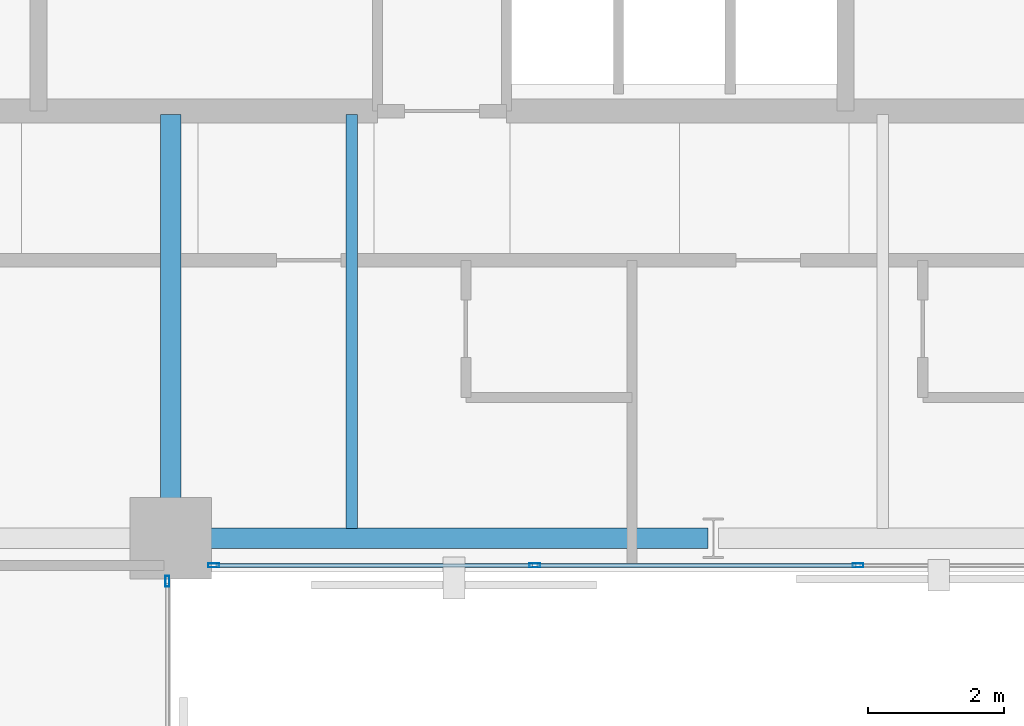
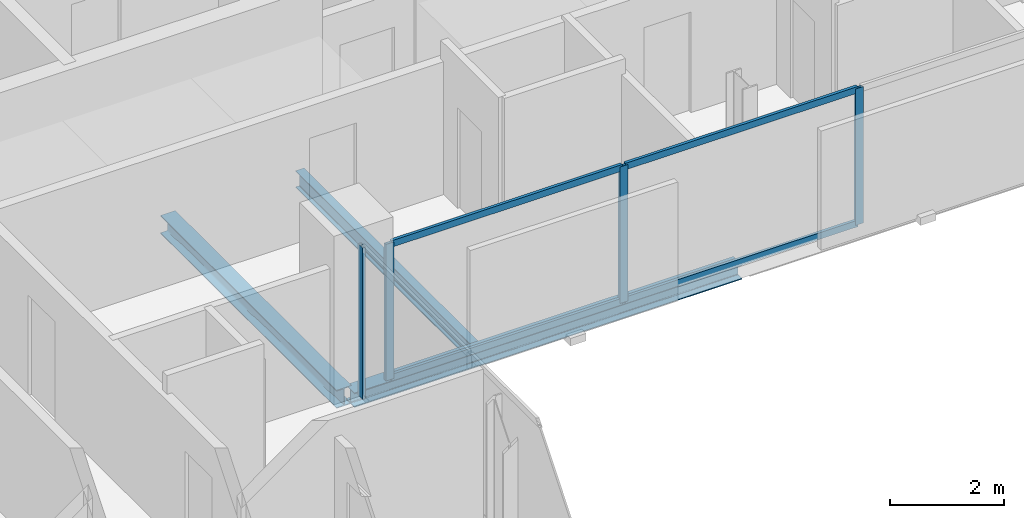
# One storey, part 13 of 32: 8 members, 3 beams, 2 elements without a shape of their own.
"""IFC4 building model written with IfcOpenShell, lengths in metres."""

from ifc_helpers import new_model, si_unit, direction, frame, origin, origin_2d, place, context, subcontext, project, spatial, hollow_rectangle, i_section, extrude, material, layer, layer_set, material_profile, profile_set, type_object, element, aggregate, save


model = new_model("IFC4")

# Units and contexts
model_context = context("Model", 3, precision=1e-05, world=origin(), true_north=direction((0.0, 1.0)))
body_context = subcontext(model_context, "Body", "Model", "MODEL_VIEW")
ifc_project = project(units=[si_unit("LENGTHUNIT", "METRE"), si_unit("AREAUNIT", "SQUARE_METRE"), si_unit("VOLUMEUNIT", "CUBIC_METRE"), si_unit("PLANEANGLEUNIT", "RADIAN"), si_unit("MASSUNIT", "GRAM", prefix="KILO")], contexts=[model_context])

# Site, building, storey
site_placement = place(None, origin())
site = spatial("IfcSite", under=ifc_project, at=site_placement, CompositionType="ELEMENT")
building_placement = place(site_placement, origin())
building = spatial("IfcBuilding", under=site, at=building_placement, Name="Catumbela Crestline Tower", CompositionType="ELEMENT")
storey_placement = place(building_placement, frame((0.0, 0.0, 140.4)))
storey = spatial("IfcBuildingStorey", under=building, at=storey_placement, Name="L36", CompositionType="ELEMENT", Elevation=140.4)

# Beams
ifc_material_1 = material(Name="Structural steel S355J2", Category="steel")
ifc_material_profile_1 = material_profile(ifc_material_1, i_section(OverallWidth=0.3, OverallDepth=0.39, WebThickness=0.011, FlangeThickness=0.019, FilletRadius=0.027, at=origin_2d()), Name="HEA 400")
ifc_profile_set_1 = profile_set([ifc_material_profile_1], Name="Structural steel S355J2")
beam_type_1 = type_object("IfcBeamType", Name="BG-HEA400", PredefinedType="BEAM", material=ifc_profile_set_1)
beam_1_placement = place(storey_placement, frame((24.0, 24.58, -0.455), z_axis=(0.0, 1.0, 0.0), x_axis=(-1.0, 0.0, 0.0)))
element("IfcBeam", 1, at=beam_1_placement, inside=storey, type_object=beam_type_1, Name="L36 Beam BM-L36-SNS29", PredefinedType="BEAM", context=body_context, shape_type="SweptSolid", body=[
    extrude(i_section(OverallWidth=0.3, OverallDepth=0.39, WebThickness=0.011, FlangeThickness=0.019, FilletRadius=0.027, at=origin_2d()), origin(), (0.0, 0.0, 1.0), 6.17),
])
ifc_material_profile_2 = material_profile(ifc_material_1, i_section(OverallWidth=0.17, OverallDepth=0.36, WebThickness=0.008, FlangeThickness=0.0127, FilletRadius=0.018, at=origin_2d()), Name="IPE 360")
ifc_profile_set_2 = profile_set([ifc_material_profile_2], Name="Structural steel S355J2")
beam_type_2 = type_object("IfcBeamType", Name="BJ-IPE360", PredefinedType="JOIST", material=ifc_profile_set_2)
beam_2_placement = place(storey_placement, frame((26.667, 24.647, -0.44), z_axis=(0.0, 1.0, 0.0), x_axis=(-1.0, 0.0, 0.0)))
element("IfcBeam", 2, at=beam_2_placement, inside=storey, type_object=beam_type_2, Name="L36 Joist JS-L36-SP39", PredefinedType="JOIST", context=body_context, shape_type="SweptSolid", body=[
    extrude(i_section(OverallWidth=0.17, OverallDepth=0.36, WebThickness=0.008, FlangeThickness=0.0127, FilletRadius=0.018, at=origin_2d()), origin(), (0.0, 0.0, 1.0), 6.103),
])

# Curtain wall, member
ifc_material_2 = material(Name="Aluminium alloy AW-6060-T66", Category="aluminium")
ifc_layer = layer(ifc_material_2, 0.18, Name="Aluminium alloy AW-6060-T66")
ifc_layer_set = layer_set([ifc_layer], Name="Aluminium alloy AW-6060-T66")
curtain_wall_type = type_object("IfcCurtainWallType", Name="CWU-Z2", PredefinedType="USERDEFINED", material=ifc_layer_set)
curtain_wall_1_placement = place(storey_placement, origin())
curtain_wall_1 = element("IfcCurtainWall", 3, at=curtain_wall_1_placement, inside=storey, type_object=curtain_wall_type, Name="L36 Unitised Curtain Wall CW-L36-E2S1", ObjectType="UNITISED", PredefinedType="USERDEFINED")
ifc_material_profile_3 = material_profile(ifc_material_2, hollow_rectangle(XDim=0.06, YDim=0.16, WallThickness=0.004, at=origin_2d()), Name="ALU 160x60x4")
ifc_profile_set_3 = profile_set([ifc_material_profile_3], Name="Aluminium alloy AW-6060-T66")
member_type_1 = type_object("IfcMemberType", Name="MUL-160X60", PredefinedType="MULLION", material=ifc_profile_set_3)
member_1_placement = place(storey_placement, frame((23.95, 23.8675, 0.0), z_axis=(0.0, 0.0, 1.0), x_axis=(-1.0, 0.0, 0.0)))
member_1 = element("IfcMember", 4, at=member_1_placement, type_object=member_type_1, Name="CWU-Z2 mullion 5", PredefinedType="MULLION", context=body_context, shape_type="SweptSolid", body=[
    extrude(hollow_rectangle(XDim=0.06, YDim=0.16, WallThickness=0.004, at=origin_2d()), origin(), (0.0, 0.0, 1.0), 3.24),
])
aggregate(curtain_wall_1, [member_1])

# Curtain wall, members
curtain_wall_2_placement = place(storey_placement, origin())
curtain_wall_2 = element("IfcCurtainWall", 5, at=curtain_wall_2_placement, inside=storey, type_object=curtain_wall_type, Name="L36 Unitised Curtain Wall CW-L36-E3S1", ObjectType="UNITISED", PredefinedType="USERDEFINED")
member_2_placement = place(storey_placement, frame((24.6325, 24.1, 0.0), z_axis=(0.0, 0.0, 1.0), x_axis=(0.0, 1.0, 0.0)))
member_2 = element("IfcMember", 6, at=member_2_placement, type_object=member_type_1, Name="CWU-Z2 mullion 1", PredefinedType="MULLION", context=body_context, shape_type="SweptSolid", body=[
    extrude(hollow_rectangle(XDim=0.06, YDim=0.16, WallThickness=0.004, at=origin_2d()), origin(), (0.0, 0.0, 1.0), 2.92),
])
member_3_placement = place(storey_placement, frame((29.3667, 24.1, 0.0), z_axis=(0.0, 0.0, 1.0), x_axis=(0.0, 1.0, 0.0)))
member_3 = element("IfcMember", 7, at=member_3_placement, type_object=member_type_1, Name="CWU-Z2 mullion 2", PredefinedType="MULLION", context=body_context, shape_type="SweptSolid", body=[
    extrude(hollow_rectangle(XDim=0.06, YDim=0.16, WallThickness=0.004, at=origin_2d()), origin(), (0.0, 0.0, 1.0), 2.92),
])
member_4_placement = place(storey_placement, frame((34.1333, 24.1, 0.0), z_axis=(0.0, 0.0, 1.0), x_axis=(0.0, 1.0, 0.0)))
member_4 = element("IfcMember", 8, at=member_4_placement, type_object=member_type_1, Name="CWU-Z2 mullion 3", PredefinedType="MULLION", context=body_context, shape_type="SweptSolid", body=[
    extrude(hollow_rectangle(XDim=0.06, YDim=0.16, WallThickness=0.004, at=origin_2d()), origin(), (0.0, 0.0, 1.0), 2.92),
])

# Beam
ifc_material_profile_4 = material_profile(ifc_material_1, i_section(OverallWidth=0.3, OverallDepth=0.31, WebThickness=0.009, FlangeThickness=0.0155, FilletRadius=0.027, at=origin_2d()), Name="HEA 320")
ifc_profile_set_4 = profile_set([ifc_material_profile_4], Name="Structural steel S355J2")
beam_type_3 = type_object("IfcBeamType", Name="BS-HEA320", PredefinedType="SPANDREL", material=ifc_profile_set_4)
beam_3_placement = place(storey_placement, frame((24.08, 24.5, -0.415), z_axis=(1.0, 0.0, 0.0), x_axis=(0.0, 1.0, 0.0)))
element("IfcBeam", 9, at=beam_3_placement, inside=storey, type_object=beam_type_3, Name="L36 Spandrel SP-L36-S05", PredefinedType="SPANDREL", context=body_context, shape_type="SweptSolid", body=[
    extrude(i_section(OverallWidth=0.3, OverallDepth=0.31, WebThickness=0.009, FlangeThickness=0.0155, FilletRadius=0.027, at=origin_2d()), origin(), (0.0, 0.0, 1.0), 7.84),
])

# Member
ifc_material_profile_5 = material_profile(ifc_material_2, hollow_rectangle(XDim=0.06, YDim=0.14, WallThickness=0.004, at=origin_2d()), Name="ALU 140x60x4")
ifc_profile_set_5 = profile_set([ifc_material_profile_5], Name="Aluminium alloy AW-6060-T66")
member_type_2 = type_object("IfcMemberType", Name="TRN-140X60", PredefinedType="USERDEFINED", material=ifc_profile_set_5)
member_5_placement = place(storey_placement, frame((24.665, 24.1, 0.03), z_axis=(1.0, 0.0, 0.0), x_axis=(0.0, 1.0, 0.0)))
member_5 = element("IfcMember", 10, at=member_5_placement, type_object=member_type_2, Name="CWU-Z2 transom 1.1", ObjectType="TRANSOM", PredefinedType="USERDEFINED", context=body_context, shape_type="SweptSolid", body=[
    extrude(hollow_rectangle(XDim=0.06, YDim=0.14, WallThickness=0.004, at=origin_2d()), origin(), (0.0, 0.0, 1.0), 4.6692),
])

member_6_placement = place(storey_placement, frame((24.665, 24.1, 2.89), z_axis=(1.0, 0.0, 0.0), x_axis=(0.0, 1.0, 0.0)))
member_6 = element("IfcMember", 11, at=member_6_placement, type_object=member_type_2, Name="CWU-Z2 transom 1.2", ObjectType="TRANSOM", PredefinedType="USERDEFINED", context=body_context, shape_type="SweptSolid", body=[
    extrude(hollow_rectangle(XDim=0.06, YDim=0.14, WallThickness=0.004, at=origin_2d()), origin(), (0.0, 0.0, 1.0), 4.6692),
])

member_7_placement = place(storey_placement, frame((29.3992, 24.1, 0.03), z_axis=(1.0, 0.0, 0.0), x_axis=(0.0, 1.0, 0.0)))
member_7 = element("IfcMember", 12, at=member_7_placement, type_object=member_type_2, Name="CWU-Z2 transom 2.1", ObjectType="TRANSOM", PredefinedType="USERDEFINED", context=body_context, shape_type="SweptSolid", body=[
    extrude(hollow_rectangle(XDim=0.06, YDim=0.14, WallThickness=0.004, at=origin_2d()), origin(), (0.0, 0.0, 1.0), 4.7016),
])

member_8_placement = place(storey_placement, frame((29.3992, 24.1, 2.89), z_axis=(1.0, 0.0, 0.0), x_axis=(0.0, 1.0, 0.0)))
member_8 = element("IfcMember", 13, at=member_8_placement, type_object=member_type_2, Name="CWU-Z2 transom 2.2", ObjectType="TRANSOM", PredefinedType="USERDEFINED", context=body_context, shape_type="SweptSolid", body=[
    extrude(hollow_rectangle(XDim=0.06, YDim=0.14, WallThickness=0.004, at=origin_2d()), origin(), (0.0, 0.0, 1.0), 4.7016),
])

aggregate(curtain_wall_2, [member_2, member_3, member_4, member_5, member_6, member_7, member_8])

save(model, "model.ifc")
